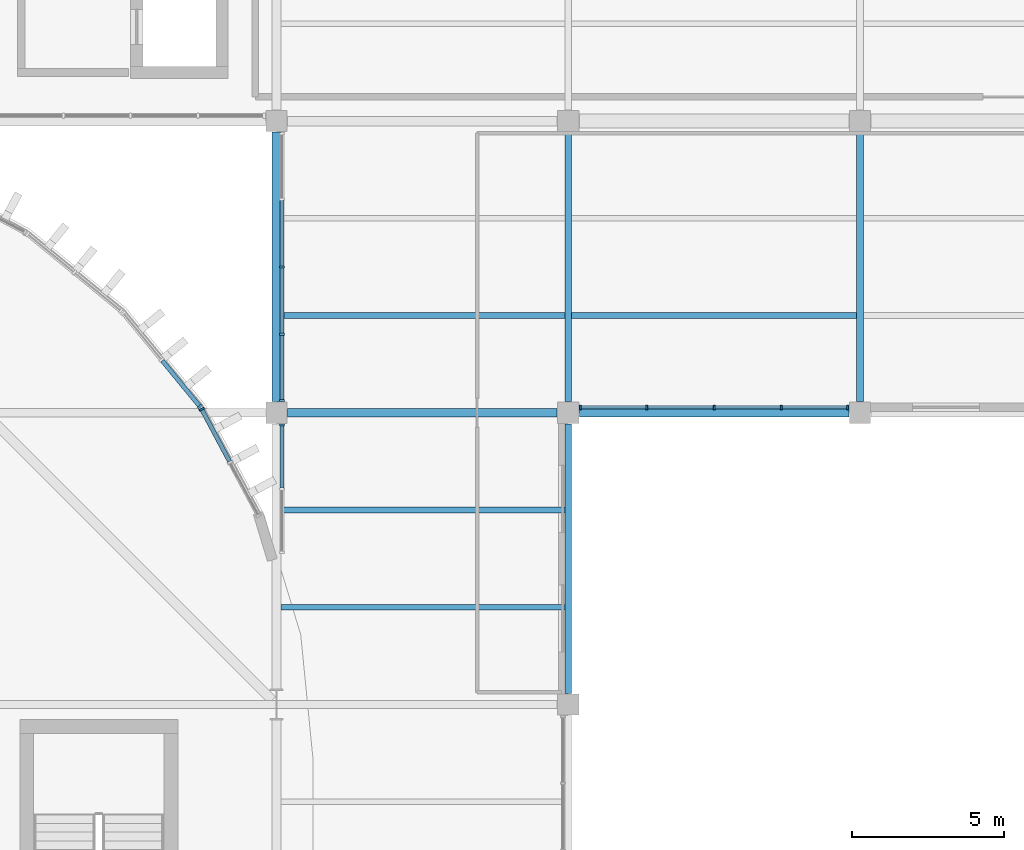
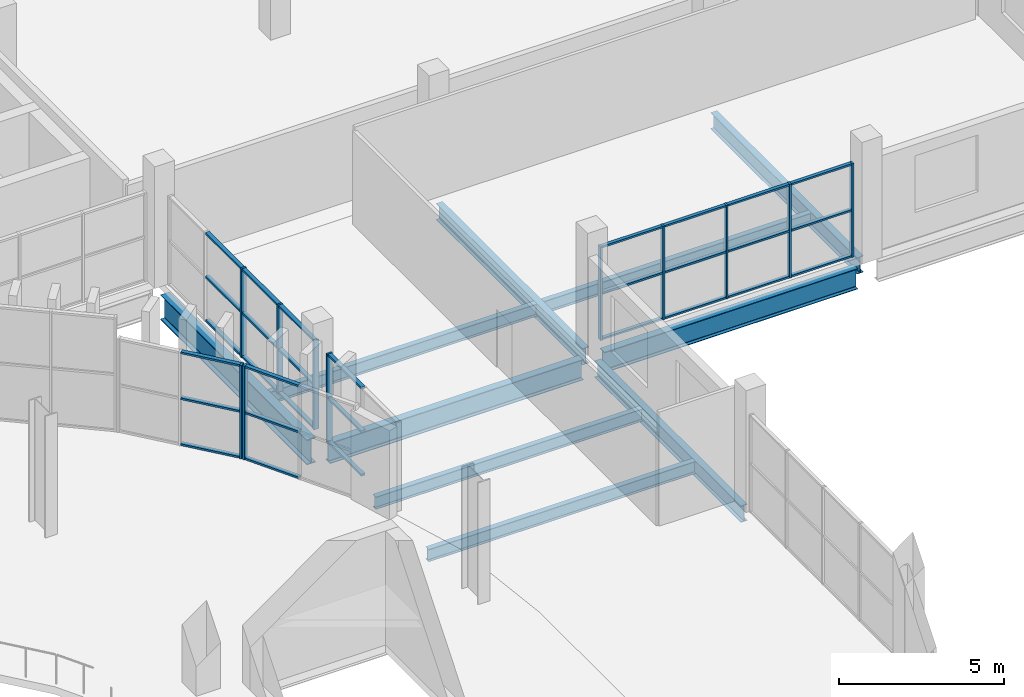
# One storey, part 36 of 92: 41 members, 10 beams, 5 elements without a shape of their own.
"""IFC4 building model written with IfcOpenShell, lengths in metres."""

from ifc_helpers import new_model, si_unit, direction, frame, origin, origin_2d, place, context, subcontext, project, spatial, rectangle, i_section, extrude, material, layer, layer_set, material_profile, profile_set, type_object, element, aggregate, save


model = new_model("IFC4")

# Units and contexts
model_context = context("Model", 3, precision=1e-05, world=origin(), true_north=direction((0.0, 1.0)))
body_context = subcontext(model_context, "Body", "Model", "MODEL_VIEW")
ifc_project = project(units=[si_unit("LENGTHUNIT", "METRE"), si_unit("AREAUNIT", "SQUARE_METRE"), si_unit("VOLUMEUNIT", "CUBIC_METRE"), si_unit("PLANEANGLEUNIT", "RADIAN"), si_unit("MASSUNIT", "GRAM", prefix="KILO")], contexts=[model_context])

# Site, building, storey
site_placement = place(None, origin())
site = spatial("IfcSite", under=ifc_project, at=site_placement, CompositionType="ELEMENT")
building_placement = place(site_placement, origin())
building = spatial("IfcBuilding", under=site, at=building_placement, Name="Caelomonte Colonnade Arena", CompositionType="ELEMENT")
storey_placement = place(building_placement, frame((0.0, 0.0, 9.60009765625)))
storey = spatial("IfcBuildingStorey", under=building, at=storey_placement, Name="L02", CompositionType="ELEMENT", Elevation=9.60009765625)

# Curtain wall, members
ifc_material_1 = material(Name="Bronze anodised aluminium and low-E glazing", Category="aluminium")
ifc_layer_1 = layer(ifc_material_1, 0.179931640625)
ifc_layer_set_1 = layer_set([ifc_layer_1], Name="Bronze anodised aluminium and low-E glazing")
curtain_wall_type_1 = type_object("IfcCurtainWallType", Name="ENV-CW-CW-L02-96-33", PredefinedType="USERDEFINED", material=ifc_layer_set_1)
curtain_wall_1_placement = place(storey_placement, origin())
curtain_wall_1 = element("IfcCurtainWall", 1, at=curtain_wall_1_placement, inside=storey, type_object=curtain_wall_type_1, Name="L02 unitized curtain wall CW-L02-1634-1104", ObjectType="UNITIZED CURTAIN WALL", PredefinedType="USERDEFINED")
ifc_material_2 = material(Name="Bronze anodised aluminium AA6063-T6", Category="aluminium")
ifc_material_profile_1 = material_profile(ifc_material_2, rectangle(XDim=0.070068359375, YDim=0.179931640625, at=origin_2d()), Name="CWM-70X180")
ifc_profile_set_1 = profile_set([ifc_material_profile_1], Name="Bronze anodised aluminium AA6063-T6")
member_type_1 = type_object("IfcMemberType", Name="ENV-CW-MULL1", PredefinedType="MULLION", material=ifc_profile_set_1)
member_1_placement = place(storey_placement, frame((163.3798828125, 110.39990234375, 0.0), z_axis=(0.0, 0.0, 1.0), x_axis=(0.0, -1.0, 0.0)))
member_1 = element("IfcMember", 2, at=member_1_placement, type_object=member_type_1, Name="CW-L02-96-33 mullion 3", PredefinedType="MULLION", context=body_context, shape_type="SweptSolid", body=[
    extrude(rectangle(XDim=0.070068359375, YDim=0.179931640625, at=origin_2d()), origin(), (0.0, 0.0, 1.0), 3.29296875),
])
member_2_placement = place(storey_placement, frame((163.3798828125, 108.18505859375, 0.0), z_axis=(0.0, 0.0, 1.0), x_axis=(0.0, -1.0, 0.0)))
member_2 = element("IfcMember", 3, at=member_2_placement, type_object=member_type_1, Name="CW-L02-96-33 mullion 4", PredefinedType="MULLION", context=body_context, shape_type="SweptSolid", body=[
    extrude(rectangle(XDim=0.070068359375, YDim=0.179931640625, at=origin_2d()), origin(), (0.0, 0.0, 1.0), 3.29296875),
])
member_3_placement = place(storey_placement, frame((163.3798828125, 106.0048828125, 0.0), z_axis=(0.0, 0.0, 1.0), x_axis=(0.0, -1.0, 0.0)))
member_3 = element("IfcMember", 4, at=member_3_placement, type_object=member_type_1, Name="CW-L02-96-33 mullion 5", PredefinedType="MULLION", context=body_context, shape_type="SweptSolid", body=[
    extrude(rectangle(XDim=0.070068359375, YDim=0.179931640625, at=origin_2d()), origin(), (0.0, 0.0, 1.0), 3.29296875),
])

# Curtain wall, member
ifc_layer_2 = layer(ifc_material_1, 0.179931640625)
ifc_layer_set_2 = layer_set([ifc_layer_2], Name="Bronze anodised aluminium and low-E glazing")
curtain_wall_type_2 = type_object("IfcCurtainWallType", Name="ENV-CW-CW-L02-48-33", PredefinedType="USERDEFINED", material=ifc_layer_set_2)
curtain_wall_2_placement = place(storey_placement, origin())
curtain_wall_2 = element("IfcCurtainWall", 5, at=curtain_wall_2_placement, inside=storey, type_object=curtain_wall_type_2, Name="L02 unitized curtain wall CW-L02-1634-1032", ObjectType="UNITIZED CURTAIN WALL", PredefinedType="USERDEFINED")
member_4_placement = place(storey_placement, frame((163.3798828125, 105.195068359375, 0.0), z_axis=(0.0, 0.0, 1.0), x_axis=(0.0, -1.0, 0.0)))
member_4 = element("IfcMember", 6, at=member_4_placement, type_object=member_type_1, Name="CW-L02-48-33 mullion 1", PredefinedType="MULLION", context=body_context, shape_type="SweptSolid", body=[
    extrude(rectangle(XDim=0.070068359375, YDim=0.179931640625, at=origin_2d()), origin(), (0.0, 0.0, 1.0), 3.29296875),
])

ifc_layer_3 = layer(ifc_material_1, 0.179931640625)
ifc_layer_set_3 = layer_set([ifc_layer_3], Name="Bronze anodised aluminium and low-E glazing")
curtain_wall_type_3 = type_object("IfcCurtainWallType", Name="ENV-CW-CW-L02-44-35", PredefinedType="USERDEFINED", material=ifc_layer_set_3)
curtain_wall_3_placement = place(storey_placement, origin())
curtain_wall_3 = element("IfcCurtainWall", 7, at=curtain_wall_3_placement, inside=storey, type_object=curtain_wall_type_3, Name="L02 unitized curtain wall CW-L02-1617-1040", ObjectType="UNITIZED CURTAIN WALL", PredefinedType="USERDEFINED")
member_5_placement = place(storey_placement, frame((160.737548828125, 105.716064453125, 0.0), z_axis=(0.0, 0.0, 1.0), x_axis=(-0.471394212466, 0.881922613642, 0.0)))
member_5 = element("IfcMember", 8, at=member_5_placement, type_object=member_type_1, Name="CW-L02-44-35 mullion 3", PredefinedType="MULLION", context=body_context, shape_type="SweptSolid", body=[
    extrude(rectangle(XDim=0.070068359375, YDim=0.179931640625, at=origin_2d()), origin(), (0.0, 0.0, 1.0), 3.465576171875),
])

curtain_wall_4_placement = place(storey_placement, origin())
curtain_wall_4 = element("IfcCurtainWall", 9, at=curtain_wall_4_placement, inside=storey, type_object=curtain_wall_type_3, Name="L02 unitized curtain wall CW-L02-1594-1073", ObjectType="UNITIZED CURTAIN WALL", PredefinedType="USERDEFINED")
member_6_placement = place(storey_placement, frame((160.67431640625, 105.810791015625, 0.0), z_axis=(0.0, 0.0, 1.0), x_axis=(-0.634416071163, 0.772991751994, 0.0)))
member_6 = element("IfcMember", 10, at=member_6_placement, type_object=member_type_1, Name="CW-L02-44-35 mullion 1", PredefinedType="MULLION", context=body_context, shape_type="SweptSolid", body=[
    extrude(rectangle(XDim=0.070068359375, YDim=0.179931640625, at=origin_2d()), origin(), (0.0, 0.0, 1.0), 3.465576171875),
])

# Curtain wall, members
ifc_layer_4 = layer(ifc_material_1, 0.179931640625)
ifc_layer_set_4 = layer_set([ifc_layer_4], Name="Bronze anodised aluminium and low-E glazing")
curtain_wall_type_4 = type_object("IfcCurtainWallType", Name="ENV-CW-CW-L02-96-35", PredefinedType="USERDEFINED", material=ifc_layer_set_4)
curtain_wall_5_placement = place(storey_placement, origin())
curtain_wall_5 = element("IfcCurtainWall", 11, at=curtain_wall_5_placement, inside=storey, type_object=curtain_wall_type_4, Name="L02 unitized curtain wall CW-L02-1776-1058", ObjectType="UNITIZED CURTAIN WALL", PredefinedType="USERDEFINED")
ifc_material_profile_2 = material_profile(ifc_material_2, rectangle(XDim=0.06494140625, YDim=0.14990234375, at=origin_2d()), Name="CWM-65X150")
ifc_profile_set_2 = profile_set([ifc_material_profile_2], Name="Bronze anodised aluminium AA6063-T6")
member_type_2 = type_object("IfcMemberType", Name="ENV-CW-MULL2", PredefinedType="MULLION", material=ifc_profile_set_2)
member_7_placement = place(storey_placement, frame((173.202392578125, 105.780029296875, 0.0), z_axis=(0.0, 0.0, 1.0), x_axis=(1.0, 0.0, 0.0)))
member_7 = element("IfcMember", 12, at=member_7_placement, type_object=member_type_2, Name="CW-L02-96-35 mullion 1", PredefinedType="MULLION", context=body_context, shape_type="SweptSolid", body=[
    extrude(rectangle(XDim=0.06494140625, YDim=0.14990234375, at=origin_2d()), origin(), (0.0, 0.0, 1.0), 3.465576171875),
])
member_8_placement = place(storey_placement, frame((175.385009765625, 105.780029296875, 0.0), z_axis=(0.0, 0.0, 1.0), x_axis=(1.0, 0.0, 0.0)))
member_8 = element("IfcMember", 13, at=member_8_placement, type_object=member_type_2, Name="CW-L02-96-35 mullion 2", PredefinedType="MULLION", context=body_context, shape_type="SweptSolid", body=[
    extrude(rectangle(XDim=0.06494140625, YDim=0.14990234375, at=origin_2d()), origin(), (0.0, 0.0, 1.0), 3.465576171875),
])
member_9_placement = place(storey_placement, frame((177.60009765625, 105.780029296875, 0.0), z_axis=(0.0, 0.0, 1.0), x_axis=(1.0, 0.0, 0.0)))
member_9 = element("IfcMember", 14, at=member_9_placement, type_object=member_type_2, Name="CW-L02-96-35 mullion 3", PredefinedType="MULLION", context=body_context, shape_type="SweptSolid", body=[
    extrude(rectangle(XDim=0.06494140625, YDim=0.14990234375, at=origin_2d()), origin(), (0.0, 0.0, 1.0), 3.465576171875),
])
member_10_placement = place(storey_placement, frame((179.81494140625, 105.780029296875, 0.0), z_axis=(0.0, 0.0, 1.0), x_axis=(1.0, 0.0, 0.0)))
member_10 = element("IfcMember", 15, at=member_10_placement, type_object=member_type_2, Name="CW-L02-96-35 mullion 4", PredefinedType="MULLION", context=body_context, shape_type="SweptSolid", body=[
    extrude(rectangle(XDim=0.06494140625, YDim=0.14990234375, at=origin_2d()), origin(), (0.0, 0.0, 1.0), 3.465576171875),
])
member_11_placement = place(storey_placement, frame((181.99755859375, 105.780029296875, 0.0), z_axis=(0.0, 0.0, 1.0), x_axis=(1.0, 0.0, 0.0)))
member_11 = element("IfcMember", 16, at=member_11_placement, type_object=member_type_2, Name="CW-L02-96-35 mullion 5", PredefinedType="MULLION", context=body_context, shape_type="SweptSolid", body=[
    extrude(rectangle(XDim=0.06494140625, YDim=0.14990234375, at=origin_2d()), origin(), (0.0, 0.0, 1.0), 3.465576171875),
])

# Member
ifc_material_profile_3 = material_profile(ifc_material_2, rectangle(XDim=0.070068359375, YDim=0.139892578125, at=origin_2d()), Name="CWT-70X140")
ifc_profile_set_3 = profile_set([ifc_material_profile_3], Name="Bronze anodised aluminium AA6063-T6")
member_type_3 = type_object("IfcMemberType", Name="ENV-CW-TRAN1", PredefinedType="USERDEFINED", material=ifc_profile_set_3)
member_12_placement = place(storey_placement, frame((163.3798828125, 112.580078125, 0.034912109375), z_axis=(0.0, -1.0, 0.0), x_axis=(0.0, 0.0, 1.0)))
member_12 = element("IfcMember", 17, at=member_12_placement, type_object=member_type_3, Name="CW-L02-96-33 transom 2.1", ObjectType="TRANSOM", PredefinedType="USERDEFINED", context=body_context, shape_type="SweptSolid", body=[
    extrude(rectangle(XDim=0.070068359375, YDim=0.139892578125, at=origin_2d()), origin(), (0.0, 0.0, 1.0), 2.14501953125),
])

member_13_placement = place(storey_placement, frame((163.3798828125, 112.580078125, 1.646484375), z_axis=(0.0, -1.0, 0.0), x_axis=(0.0, 0.0, 1.0)))
member_13 = element("IfcMember", 18, at=member_13_placement, type_object=member_type_3, Name="CW-L02-96-33 transom 2.2", ObjectType="TRANSOM", PredefinedType="USERDEFINED", context=body_context, shape_type="SweptSolid", body=[
    extrude(rectangle(XDim=0.070068359375, YDim=0.139892578125, at=origin_2d()), origin(), (0.0, 0.0, 1.0), 2.14501953125),
])

member_14_placement = place(storey_placement, frame((163.3798828125, 112.580078125, 3.2578125), z_axis=(0.0, -1.0, 0.0), x_axis=(0.0, 0.0, 1.0)))
member_14 = element("IfcMember", 19, at=member_14_placement, type_object=member_type_3, Name="CW-L02-96-33 transom 2.3", ObjectType="TRANSOM", PredefinedType="USERDEFINED", context=body_context, shape_type="SweptSolid", body=[
    extrude(rectangle(XDim=0.070068359375, YDim=0.139892578125, at=origin_2d()), origin(), (0.0, 0.0, 1.0), 2.14501953125),
])

member_15_placement = place(storey_placement, frame((163.3798828125, 110.364990234375, 0.034912109375), z_axis=(0.0, -1.0, 0.0), x_axis=(0.0, 0.0, 1.0)))
member_15 = element("IfcMember", 20, at=member_15_placement, type_object=member_type_3, Name="CW-L02-96-33 transom 3.1", ObjectType="TRANSOM", PredefinedType="USERDEFINED", context=body_context, shape_type="SweptSolid", body=[
    extrude(rectangle(XDim=0.070068359375, YDim=0.139892578125, at=origin_2d()), origin(), (0.0, 0.0, 1.0), 2.14501953125),
])

member_16_placement = place(storey_placement, frame((163.3798828125, 110.364990234375, 1.646484375), z_axis=(0.0, -1.0, 0.0), x_axis=(0.0, 0.0, 1.0)))
member_16 = element("IfcMember", 21, at=member_16_placement, type_object=member_type_3, Name="CW-L02-96-33 transom 3.2", ObjectType="TRANSOM", PredefinedType="USERDEFINED", context=body_context, shape_type="SweptSolid", body=[
    extrude(rectangle(XDim=0.070068359375, YDim=0.139892578125, at=origin_2d()), origin(), (0.0, 0.0, 1.0), 2.14501953125),
])

member_17_placement = place(storey_placement, frame((163.3798828125, 110.364990234375, 3.2578125), z_axis=(0.0, -1.0, 0.0), x_axis=(0.0, 0.0, 1.0)))
member_17 = element("IfcMember", 22, at=member_17_placement, type_object=member_type_3, Name="CW-L02-96-33 transom 3.3", ObjectType="TRANSOM", PredefinedType="USERDEFINED", context=body_context, shape_type="SweptSolid", body=[
    extrude(rectangle(XDim=0.070068359375, YDim=0.139892578125, at=origin_2d()), origin(), (0.0, 0.0, 1.0), 2.14501953125),
])

member_18_placement = place(storey_placement, frame((163.3798828125, 108.14990234375, 0.034912109375), z_axis=(0.0, -1.0, 0.0), x_axis=(0.0, 0.0, 1.0)))
member_18 = element("IfcMember", 23, at=member_18_placement, type_object=member_type_3, Name="CW-L02-96-33 transom 4.1", ObjectType="TRANSOM", PredefinedType="USERDEFINED", context=body_context, shape_type="SweptSolid", body=[
    extrude(rectangle(XDim=0.070068359375, YDim=0.139892578125, at=origin_2d()), origin(), (0.0, 0.0, 1.0), 2.10986328125),
])

member_19_placement = place(storey_placement, frame((163.3798828125, 108.14990234375, 1.646484375), z_axis=(0.0, -1.0, 0.0), x_axis=(0.0, 0.0, 1.0)))
member_19 = element("IfcMember", 24, at=member_19_placement, type_object=member_type_3, Name="CW-L02-96-33 transom 4.2", ObjectType="TRANSOM", PredefinedType="USERDEFINED", context=body_context, shape_type="SweptSolid", body=[
    extrude(rectangle(XDim=0.070068359375, YDim=0.139892578125, at=origin_2d()), origin(), (0.0, 0.0, 1.0), 2.10986328125),
])

member_20_placement = place(storey_placement, frame((163.3798828125, 108.14990234375, 3.2578125), z_axis=(0.0, -1.0, 0.0), x_axis=(0.0, 0.0, 1.0)))
member_20 = element("IfcMember", 25, at=member_20_placement, type_object=member_type_3, Name="CW-L02-96-33 transom 4.3", ObjectType="TRANSOM", PredefinedType="USERDEFINED", context=body_context, shape_type="SweptSolid", body=[
    extrude(rectangle(XDim=0.070068359375, YDim=0.139892578125, at=origin_2d()), origin(), (0.0, 0.0, 1.0), 2.10986328125),
])

aggregate(curtain_wall_1, [member_1, member_2, member_3, member_12, member_13, member_14, member_15, member_16, member_17, member_18, member_19, member_20])

member_21_placement = place(storey_placement, frame((163.3798828125, 105.159912109375, 0.034912109375), z_axis=(0.0, -1.0, 0.0), x_axis=(0.0, 0.0, 1.0)))
member_21 = element("IfcMember", 26, at=member_21_placement, type_object=member_type_3, Name="CW-L02-48-33 transom 1.1", ObjectType="TRANSOM", PredefinedType="USERDEFINED", context=body_context, shape_type="SweptSolid", body=[
    extrude(rectangle(XDim=0.070068359375, YDim=0.139892578125, at=origin_2d()), origin(), (0.0, 0.0, 1.0), 2.027587890625),
])

member_22_placement = place(storey_placement, frame((163.3798828125, 105.159912109375, 1.646484375), z_axis=(0.0, -1.0, 0.0), x_axis=(0.0, 0.0, 1.0)))
member_22 = element("IfcMember", 27, at=member_22_placement, type_object=member_type_3, Name="CW-L02-48-33 transom 1.2", ObjectType="TRANSOM", PredefinedType="USERDEFINED", context=body_context, shape_type="SweptSolid", body=[
    extrude(rectangle(XDim=0.070068359375, YDim=0.139892578125, at=origin_2d()), origin(), (0.0, 0.0, 1.0), 2.027587890625),
])

member_23_placement = place(storey_placement, frame((163.3798828125, 105.159912109375, 3.2578125), z_axis=(0.0, -1.0, 0.0), x_axis=(0.0, 0.0, 1.0)))
member_23 = element("IfcMember", 28, at=member_23_placement, type_object=member_type_3, Name="CW-L02-48-33 transom 1.3", ObjectType="TRANSOM", PredefinedType="USERDEFINED", context=body_context, shape_type="SweptSolid", body=[
    extrude(rectangle(XDim=0.070068359375, YDim=0.139892578125, at=origin_2d()), origin(), (0.0, 0.0, 1.0), 2.027587890625),
])

aggregate(curtain_wall_2, [member_4, member_21, member_22, member_23])

member_24_placement = place(storey_placement, frame((161.656005859375, 103.997802734375, 0.034912109375), z_axis=(-0.47149534087, 0.881868552301, 0.0), x_axis=(0.0, 0.0, 1.0)))
member_24 = element("IfcMember", 29, at=member_24_placement, type_object=member_type_3, Name="CW-L02-44-35 transom 2.1", ObjectType="TRANSOM", PredefinedType="USERDEFINED", context=body_context, shape_type="SweptSolid", body=[
    extrude(rectangle(XDim=0.070068359375, YDim=0.139892578125, at=origin_2d()), origin(), (0.0, 0.0, 1.0), 1.913330078125),
])

member_25_placement = place(storey_placement, frame((161.656005859375, 103.997802734375, 1.732666015625), z_axis=(-0.47149534087, 0.881868552301, 0.0), x_axis=(0.0, 0.0, 1.0)))
member_25 = element("IfcMember", 30, at=member_25_placement, type_object=member_type_3, Name="CW-L02-44-35 transom 2.2", ObjectType="TRANSOM", PredefinedType="USERDEFINED", context=body_context, shape_type="SweptSolid", body=[
    extrude(rectangle(XDim=0.070068359375, YDim=0.139892578125, at=origin_2d()), origin(), (0.0, 0.0, 1.0), 1.913330078125),
])

member_26_placement = place(storey_placement, frame((161.656005859375, 103.997802734375, 3.430419921875), z_axis=(-0.47149534087, 0.881868552301, 0.0), x_axis=(0.0, 0.0, 1.0)))
member_26 = element("IfcMember", 31, at=member_26_placement, type_object=member_type_3, Name="CW-L02-44-35 transom 2.3", ObjectType="TRANSOM", PredefinedType="USERDEFINED", context=body_context, shape_type="SweptSolid", body=[
    extrude(rectangle(XDim=0.070068359375, YDim=0.139892578125, at=origin_2d()), origin(), (0.0, 0.0, 1.0), 1.913330078125),
])

aggregate(curtain_wall_3, [member_5, member_24, member_25, member_26])

member_27_placement = place(storey_placement, frame((160.652099609375, 105.837890625, 0.034912109375), z_axis=(-0.634494516049, 0.772927363407, 0.0), x_axis=(0.0, 0.0, 1.0)))
member_27 = element("IfcMember", 32, at=member_27_placement, type_object=member_type_3, Name="CW-L02-44-35 transom 1.1", ObjectType="TRANSOM", PredefinedType="USERDEFINED", context=body_context, shape_type="SweptSolid", body=[
    extrude(rectangle(XDim=0.070068359375, YDim=0.139892578125, at=origin_2d()), origin(), (0.0, 0.0, 1.0), 1.91357421875),
])

member_28_placement = place(storey_placement, frame((160.652099609375, 105.837890625, 1.732666015625), z_axis=(-0.634494516049, 0.772927363407, 0.0), x_axis=(0.0, 0.0, 1.0)))
member_28 = element("IfcMember", 33, at=member_28_placement, type_object=member_type_3, Name="CW-L02-44-35 transom 1.2", ObjectType="TRANSOM", PredefinedType="USERDEFINED", context=body_context, shape_type="SweptSolid", body=[
    extrude(rectangle(XDim=0.070068359375, YDim=0.139892578125, at=origin_2d()), origin(), (0.0, 0.0, 1.0), 1.91357421875),
])

member_29_placement = place(storey_placement, frame((160.652099609375, 105.837890625, 3.430419921875), z_axis=(-0.634494516049, 0.772927363407, 0.0), x_axis=(0.0, 0.0, 1.0)))
member_29 = element("IfcMember", 34, at=member_29_placement, type_object=member_type_3, Name="CW-L02-44-35 transom 1.3", ObjectType="TRANSOM", PredefinedType="USERDEFINED", context=body_context, shape_type="SweptSolid", body=[
    extrude(rectangle(XDim=0.070068359375, YDim=0.139892578125, at=origin_2d()), origin(), (0.0, 0.0, 1.0), 1.91357421875),
])

aggregate(curtain_wall_4, [member_6, member_27, member_28, member_29])

ifc_material_profile_4 = material_profile(ifc_material_2, rectangle(XDim=0.06494140625, YDim=0.1201171875, at=origin_2d()), Name="CWT-65X120")
ifc_profile_set_4 = profile_set([ifc_material_profile_4], Name="Bronze anodised aluminium AA6063-T6")
member_type_4 = type_object("IfcMemberType", Name="ENV-CW-TRAN2", PredefinedType="USERDEFINED", material=ifc_profile_set_4)
member_30_placement = place(storey_placement, frame((173.235107421875, 105.780029296875, 0.032470703125), z_axis=(1.0, 0.0, 0.0), x_axis=(0.0, 0.0, 1.0)))
member_30 = element("IfcMember", 35, at=member_30_placement, type_object=member_type_4, Name="CW-L02-96-35 transom 1.1", ObjectType="TRANSOM", PredefinedType="USERDEFINED", context=body_context, shape_type="SweptSolid", body=[
    extrude(rectangle(XDim=0.06494140625, YDim=0.1201171875, at=origin_2d()), origin(), (0.0, 0.0, 1.0), 2.117431640625),
])

member_31_placement = place(storey_placement, frame((173.235107421875, 105.780029296875, 1.732666015625), z_axis=(1.0, 0.0, 0.0), x_axis=(0.0, 0.0, 1.0)))
member_31 = element("IfcMember", 36, at=member_31_placement, type_object=member_type_4, Name="CW-L02-96-35 transom 1.2", ObjectType="TRANSOM", PredefinedType="USERDEFINED", context=body_context, shape_type="SweptSolid", body=[
    extrude(rectangle(XDim=0.06494140625, YDim=0.1201171875, at=origin_2d()), origin(), (0.0, 0.0, 1.0), 2.117431640625),
])

member_32_placement = place(storey_placement, frame((173.235107421875, 105.780029296875, 3.43310546875), z_axis=(1.0, 0.0, 0.0), x_axis=(0.0, 0.0, 1.0)))
member_32 = element("IfcMember", 37, at=member_32_placement, type_object=member_type_4, Name="CW-L02-96-35 transom 1.3", ObjectType="TRANSOM", PredefinedType="USERDEFINED", context=body_context, shape_type="SweptSolid", body=[
    extrude(rectangle(XDim=0.06494140625, YDim=0.1201171875, at=origin_2d()), origin(), (0.0, 0.0, 1.0), 2.117431640625),
])

member_33_placement = place(storey_placement, frame((175.41748046875, 105.780029296875, 0.032470703125), z_axis=(1.0, 0.0, 0.0), x_axis=(0.0, 0.0, 1.0)))
member_33 = element("IfcMember", 38, at=member_33_placement, type_object=member_type_4, Name="CW-L02-96-35 transom 2.1", ObjectType="TRANSOM", PredefinedType="USERDEFINED", context=body_context, shape_type="SweptSolid", body=[
    extrude(rectangle(XDim=0.06494140625, YDim=0.1201171875, at=origin_2d()), origin(), (0.0, 0.0, 1.0), 2.14990234375),
])

member_34_placement = place(storey_placement, frame((175.41748046875, 105.780029296875, 1.732666015625), z_axis=(1.0, 0.0, 0.0), x_axis=(0.0, 0.0, 1.0)))
member_34 = element("IfcMember", 39, at=member_34_placement, type_object=member_type_4, Name="CW-L02-96-35 transom 2.2", ObjectType="TRANSOM", PredefinedType="USERDEFINED", context=body_context, shape_type="SweptSolid", body=[
    extrude(rectangle(XDim=0.06494140625, YDim=0.1201171875, at=origin_2d()), origin(), (0.0, 0.0, 1.0), 2.14990234375),
])

member_35_placement = place(storey_placement, frame((175.41748046875, 105.780029296875, 3.43310546875), z_axis=(1.0, 0.0, 0.0), x_axis=(0.0, 0.0, 1.0)))
member_35 = element("IfcMember", 40, at=member_35_placement, type_object=member_type_4, Name="CW-L02-96-35 transom 2.3", ObjectType="TRANSOM", PredefinedType="USERDEFINED", context=body_context, shape_type="SweptSolid", body=[
    extrude(rectangle(XDim=0.06494140625, YDim=0.1201171875, at=origin_2d()), origin(), (0.0, 0.0, 1.0), 2.14990234375),
])

member_36_placement = place(storey_placement, frame((177.632568359375, 105.780029296875, 0.032470703125), z_axis=(1.0, 0.0, 0.0), x_axis=(0.0, 0.0, 1.0)))
member_36 = element("IfcMember", 41, at=member_36_placement, type_object=member_type_4, Name="CW-L02-96-35 transom 3.1", ObjectType="TRANSOM", PredefinedType="USERDEFINED", context=body_context, shape_type="SweptSolid", body=[
    extrude(rectangle(XDim=0.06494140625, YDim=0.1201171875, at=origin_2d()), origin(), (0.0, 0.0, 1.0), 2.14990234375),
])

member_37_placement = place(storey_placement, frame((177.632568359375, 105.780029296875, 1.732666015625), z_axis=(1.0, 0.0, 0.0), x_axis=(0.0, 0.0, 1.0)))
member_37 = element("IfcMember", 42, at=member_37_placement, type_object=member_type_4, Name="CW-L02-96-35 transom 3.2", ObjectType="TRANSOM", PredefinedType="USERDEFINED", context=body_context, shape_type="SweptSolid", body=[
    extrude(rectangle(XDim=0.06494140625, YDim=0.1201171875, at=origin_2d()), origin(), (0.0, 0.0, 1.0), 2.14990234375),
])

member_38_placement = place(storey_placement, frame((177.632568359375, 105.780029296875, 3.43310546875), z_axis=(1.0, 0.0, 0.0), x_axis=(0.0, 0.0, 1.0)))
member_38 = element("IfcMember", 43, at=member_38_placement, type_object=member_type_4, Name="CW-L02-96-35 transom 3.3", ObjectType="TRANSOM", PredefinedType="USERDEFINED", context=body_context, shape_type="SweptSolid", body=[
    extrude(rectangle(XDim=0.06494140625, YDim=0.1201171875, at=origin_2d()), origin(), (0.0, 0.0, 1.0), 2.14990234375),
])

member_39_placement = place(storey_placement, frame((179.847412109375, 105.780029296875, 0.032470703125), z_axis=(1.0, 0.0, 0.0), x_axis=(0.0, 0.0, 1.0)))
member_39 = element("IfcMember", 44, at=member_39_placement, type_object=member_type_4, Name="CW-L02-96-35 transom 4.1", ObjectType="TRANSOM", PredefinedType="USERDEFINED", context=body_context, shape_type="SweptSolid", body=[
    extrude(rectangle(XDim=0.06494140625, YDim=0.1201171875, at=origin_2d()), origin(), (0.0, 0.0, 1.0), 2.11767578125),
])

member_40_placement = place(storey_placement, frame((179.847412109375, 105.780029296875, 1.732666015625), z_axis=(1.0, 0.0, 0.0), x_axis=(0.0, 0.0, 1.0)))
member_40 = element("IfcMember", 45, at=member_40_placement, type_object=member_type_4, Name="CW-L02-96-35 transom 4.2", ObjectType="TRANSOM", PredefinedType="USERDEFINED", context=body_context, shape_type="SweptSolid", body=[
    extrude(rectangle(XDim=0.06494140625, YDim=0.1201171875, at=origin_2d()), origin(), (0.0, 0.0, 1.0), 2.11767578125),
])

member_41_placement = place(storey_placement, frame((179.847412109375, 105.780029296875, 3.43310546875), z_axis=(1.0, 0.0, 0.0), x_axis=(0.0, 0.0, 1.0)))
member_41 = element("IfcMember", 46, at=member_41_placement, type_object=member_type_4, Name="CW-L02-96-35 transom 4.3", ObjectType="TRANSOM", PredefinedType="USERDEFINED", context=body_context, shape_type="SweptSolid", body=[
    extrude(rectangle(XDim=0.06494140625, YDim=0.1201171875, at=origin_2d()), origin(), (0.0, 0.0, 1.0), 2.11767578125),
])

aggregate(curtain_wall_5, [member_7, member_8, member_9, member_10, member_11, member_30, member_31, member_32, member_33, member_34, member_35, member_36, member_37, member_38, member_39, member_40, member_41])

# Beams
ifc_material_3 = material(Name="Wide-flange steel ASTM A992 Grade 50", Category="steel")
ifc_material_profile_5 = material_profile(ifc_material_3, i_section(OverallWidth=0.307861328125, OverallDepth=0.927001953125, WebThickness=0.019287109375, FlangeThickness=0.031982421875, FilletRadius=0.020263671875, at=origin_2d()), Name="W36X194")
ifc_profile_set_5 = profile_set([ifc_material_profile_5], Name="Wide-flange steel ASTM A992 Grade 50")
beam_type_1 = type_object("IfcBeamType", Name="STR-BM-EAVES2", PredefinedType="SPANDREL", material=ifc_profile_set_5)
beam_1_placement = place(storey_placement, frame((163.199951171875, 105.967041015625, -0.74365234375), z_axis=(0.0, 1.0, 0.0), x_axis=(-1.0, 0.0, 0.0)))
element("IfcBeam", 47, at=beam_1_placement, inside=storey, type_object=beam_type_1, Name="L02 girder BMY-L02-1632-1056", PredefinedType="SPANDREL", context=body_context, shape_type="SweptSolid", body=[
    extrude(i_section(OverallWidth=0.307861328125, OverallDepth=0.927001953125, WebThickness=0.019287109375, FlangeThickness=0.031982421875, FilletRadius=0.020263671875, at=origin_2d()), origin(), (0.0, 0.0, 1.0), 8.865966796875),
])
ifc_material_profile_6 = material_profile(ifc_material_3, i_section(OverallWidth=0.228271484375, OverallDepth=0.607177734375, WebThickness=0.01123046875, FlangeThickness=0.017333984375, FilletRadius=0.0126953125, at=origin_2d()), Name="W24X76")
ifc_profile_set_6 = profile_set([ifc_material_profile_6], Name="Wide-flange steel ASTM A992 Grade 50")
beam_type_2 = type_object("IfcBeamType", Name="STR-BM-GIRD24", PredefinedType="BEAM", material=ifc_profile_set_6)
for number, where, z_axis, x_axis, name in (
    (48, (172.800048828125, 96.366943359375, -0.58349609375), (0.0, 1.0, 0.0), (-1.0, 0.0, 0.0), "L02 girder BMY-L02-1728-0960"),
    (49, (172.800048828125, 105.967041015625, -0.58349609375), (0.0, 1.0, 0.0), (-1.0, 0.0, 0.0), "L02 girder BMY-L02-1728-1056"),
    (50, (182.39990234375, 105.967041015625, -0.58349609375), (0.0, 1.0, 0.0), (-1.0, 0.0, 0.0), "L02 girder BMY-L02-1824-1056"),
):
    element("IfcBeam", number, at=place(storey_placement, frame(where, z_axis=z_axis, x_axis=x_axis)), inside=storey, type_object=beam_type_2, Name=name, PredefinedType="BEAM", context=body_context, shape_type="SweptSolid", body=[
        extrude(i_section(OverallWidth=0.228271484375, OverallDepth=0.607177734375, WebThickness=0.01123046875, FlangeThickness=0.017333984375, FilletRadius=0.0126953125, at=origin_2d()), origin(), (0.0, 0.0, 1.0), 8.865966796875),
    ])
ifc_material_profile_7 = material_profile(ifc_material_3, i_section(OverallWidth=0.2666015625, OverallDepth=0.761962890625, WebThickness=0.014404296875, FlangeThickness=0.021484375, FilletRadius=0.0166015625, at=origin_2d()), Name="W30X116")
ifc_profile_set_7 = profile_set([ifc_material_profile_7], Name="Wide-flange steel ASTM A992 Grade 50")
beam_type_3 = type_object("IfcBeamType", Name="STR-BM-GIRD30", PredefinedType="BEAM", material=ifc_profile_set_7)
beam_2_placement = place(storey_placement, frame((163.56689453125, 105.60009765625, -0.6611328125), z_axis=(1.0, 0.0, 0.0), x_axis=(0.0, 1.0, 0.0)))
element("IfcBeam", 51, at=beam_2_placement, inside=storey, type_object=beam_type_3, Name="L02 girder BMX-L02-1632-1056", PredefinedType="BEAM", context=body_context, shape_type="SweptSolid", body=[
    extrude(i_section(OverallWidth=0.2666015625, OverallDepth=0.761962890625, WebThickness=0.014404296875, FlangeThickness=0.021484375, FilletRadius=0.0166015625, at=origin_2d()), origin(), (0.0, 0.0, 1.0), 8.8662109375),
])
beam_3_placement = place(storey_placement, frame((173.1669921875, 105.60009765625, -0.6611328125), z_axis=(1.0, 0.0, 0.0), x_axis=(0.0, 1.0, 0.0)))
element("IfcBeam", 52, at=beam_3_placement, inside=storey, type_object=beam_type_3, Name="L02 girder BMX-L02-1728-1056", PredefinedType="BEAM", context=body_context, shape_type="SweptSolid", body=[
    extrude(i_section(OverallWidth=0.2666015625, OverallDepth=0.761962890625, WebThickness=0.014404296875, FlangeThickness=0.021484375, FilletRadius=0.0166015625, at=origin_2d()), origin(), (0.0, 0.0, 1.0), 8.865966796875),
])
ifc_material_profile_8 = material_profile(ifc_material_3, i_section(OverallWidth=0.1904296875, OverallDepth=0.457275390625, WebThickness=0.009033203125, FlangeThickness=0.014404296875, FilletRadius=0.01025390625, at=origin_2d()), Name="W18X50")
ifc_profile_set_8 = profile_set([ifc_material_profile_8], Name="Wide-flange steel ASTM A992 Grade 50")
beam_type_4 = type_object("IfcBeamType", Name="STR-BM-JOIST18", PredefinedType="JOIST", material=ifc_profile_set_8)
for number, where, z_axis, x_axis, name in (
    (53, (163.348876953125, 99.199951171875, -0.5087890625), (1.0, 0.0, 0.0), (0.0, 1.0, 0.0), "L02 secondary joist 1"),
    (54, (163.348876953125, 102.39990234375, -0.5087890625), (1.0, 0.0, 0.0), (0.0, 1.0, 0.0), "L02 secondary joist 2"),
    (55, (163.348876953125, 108.800048828125, -0.5087890625), (1.0, 0.0, 0.0), (0.0, 1.0, 0.0), "L02 secondary joist 1"),
):
    element("IfcBeam", number, at=place(storey_placement, frame(where, z_axis=z_axis, x_axis=x_axis)), inside=storey, type_object=beam_type_4, Name=name, PredefinedType="JOIST", context=body_context, shape_type="SweptSolid", body=[
        extrude(i_section(OverallWidth=0.1904296875, OverallDepth=0.457275390625, WebThickness=0.009033203125, FlangeThickness=0.014404296875, FilletRadius=0.01025390625, at=origin_2d()), origin(), (0.0, 0.0, 1.0), 9.342041015625),
    ])
beam_4_placement = place(storey_placement, frame((172.9091796875, 108.800048828125, -0.5087890625), z_axis=(1.0, 0.0, 0.0), x_axis=(0.0, 1.0, 0.0)))
element("IfcBeam", 56, at=beam_4_placement, inside=storey, type_object=beam_type_4, Name="L02 secondary joist 1", PredefinedType="JOIST", context=body_context, shape_type="SweptSolid", body=[
    extrude(i_section(OverallWidth=0.1904296875, OverallDepth=0.457275390625, WebThickness=0.009033203125, FlangeThickness=0.014404296875, FilletRadius=0.01025390625, at=origin_2d()), origin(), (0.0, 0.0, 1.0), 9.3818359375),
])

save(model, "model.ifc")
